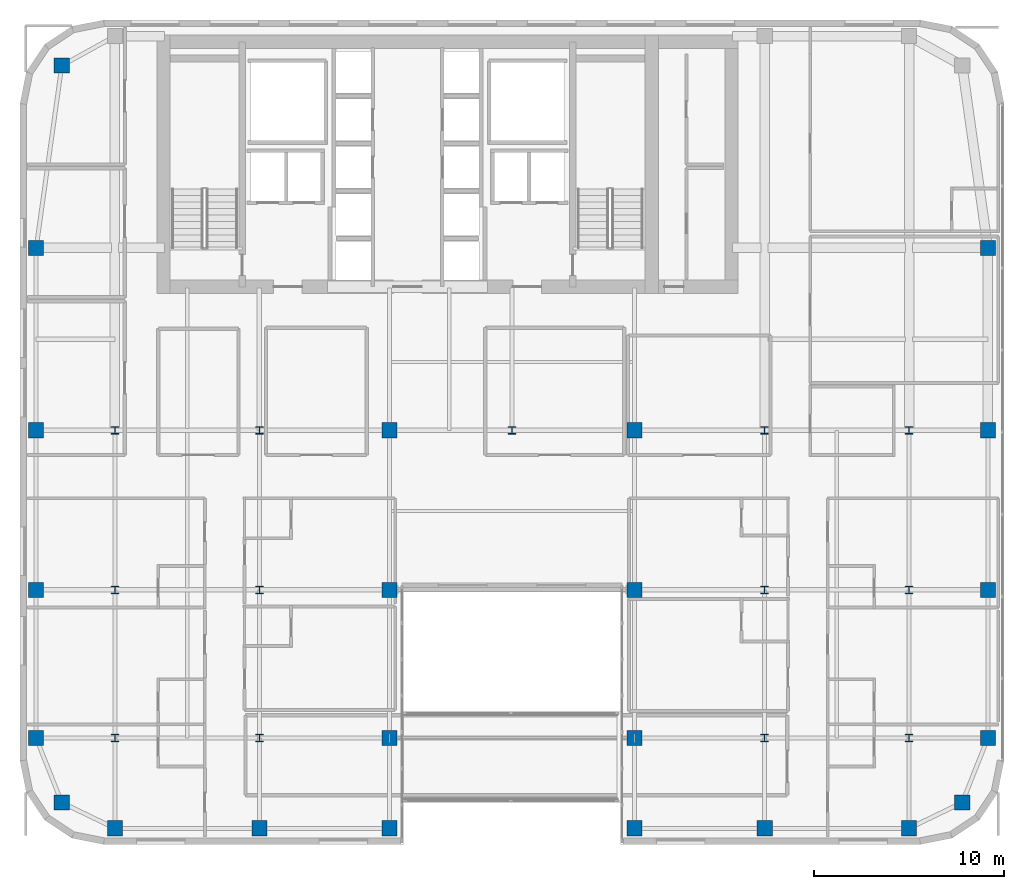
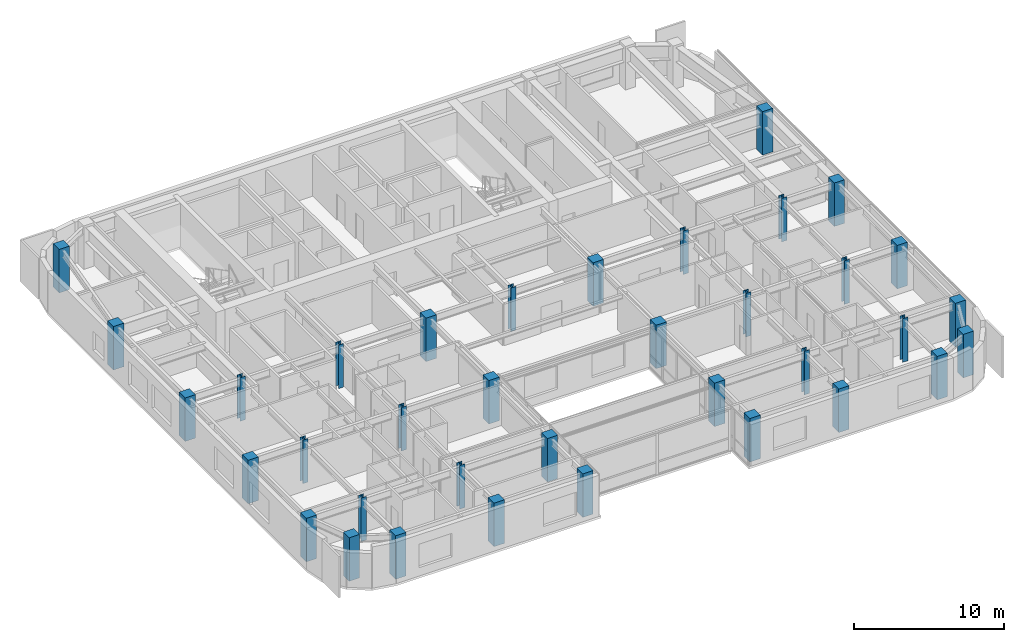
# One storey, part 1 of 20: 36 columns.
"""IFC4 building model written with IfcOpenShell, lengths in metres."""

from ifc_helpers import new_model, si_unit, direction, frame, origin, origin_2d, place, context, subcontext, project, spatial, rectangle, i_section, extrude, source, transform, mapped, material, material_profile, profile_set, type_object, type_shapes, element, save


model = new_model("IFC4")

# Units and contexts
model_context = context("Model", 3, precision=1e-05, world=origin(), true_north=direction((0.0, 1.0)))
body_context = subcontext(model_context, "Body", "Model", "MODEL_VIEW")
ifc_project = project(units=[si_unit("LENGTHUNIT", "METRE"), si_unit("AREAUNIT", "SQUARE_METRE"), si_unit("VOLUMEUNIT", "CUBIC_METRE"), si_unit("PLANEANGLEUNIT", "RADIAN"), si_unit("MASSUNIT", "GRAM", prefix="KILO")], contexts=[model_context])

# Site, building, storey
site_placement = place(None, origin())
site = spatial("IfcSite", under=ifc_project, at=site_placement, CompositionType="ELEMENT")
building_placement = place(site_placement, origin())
building = spatial("IfcBuilding", under=site, at=building_placement, Name="Tolvann Quenvar Hotel", CompositionType="ELEMENT")
storey_placement = place(building_placement, frame((0.0, 0.0, 171.89990234375)))
storey = spatial("IfcBuildingStorey", under=building, at=storey_placement, Name="L45", CompositionType="ELEMENT", Elevation=171.89990234375)

# Columns
ifc_material_1 = material(Name="Concrete N50 (50 MPa)", Category="concrete")
ifc_material_profile_1 = material_profile(ifc_material_1, rectangle(XDim=0.800048828125, YDim=0.800048828125, at=origin_2d()), Name="RC800x800")
ifc_profile_set_1 = profile_set([ifc_material_profile_1], Name="Concrete N50 (50 MPa)")
column_type_1 = type_object("IfcColumnType", Name="COL_RC800", PredefinedType="COLUMN", material=ifc_profile_set_1)
shared_shape_1 = source(origin(), body_context, "Body", "SweptSolid", [
    extrude(rectangle(XDim=0.800048828125, YDim=0.800048828125, at=origin_2d()), origin(), (0.0, 0.0, 1.0), 3.550048828125),
])
type_shapes(column_type_1, [shared_shape_1])
for number, where, z_axis, x_axis, name in (
    (1, (4.800048828125, 4.800048828125, 0.0), (0.0, 0.0, 1.0), (1.0, 0.0, 0.0), "Column B2 (L45)"),
    (2, (3.449951171875, 8.199951171875, 0.0), (0.0, 0.0, 1.0), (1.0, 0.0, 0.0), "Column B3 (L45)"),
    (3, (3.449951171875, 16.0, 0.0), (0.0, 0.0, 1.0), (1.0, 0.0, 0.0), "Column B4 (L45)"),
    (4, (3.449951171875, 24.39990234375, 0.0), (0.0, 0.0, 1.0), (1.0, 0.0, 0.0), "Column B5 (L45)"),
    (5, (7.60009765625, 3.449951171875, 0.0), (0.0, 0.0, 1.0), (1.0, 0.0, 0.0), "Column C2 (L45)"),
    (6, (15.199951171875, 3.449951171875, 0.0), (0.0, 0.0, 1.0), (1.0, 0.0, 0.0), "Column D2 (L45)"),
    (7, (22.050048828125, 3.449951171875, 0.0), (0.0, 0.0, 1.0), (1.0, 0.0, 0.0), "Column E2 (L45)"),
    (8, (22.050048828125, 8.199951171875, 0.0), (0.0, 0.0, 1.0), (1.0, 0.0, 0.0), "Column E3 (L45)"),
    (9, (22.050048828125, 16.0, 0.0), (0.0, 0.0, 1.0), (1.0, 0.0, 0.0), "Column E4 (L45)"),
    (10, (22.050048828125, 24.39990234375, 0.0), (0.0, 0.0, 1.0), (1.0, 0.0, 0.0), "Column E5 (L45)"),
    (11, (34.949951171875, 3.449951171875, 0.0), (0.0, 0.0, 1.0), (1.0, 0.0, 0.0), "Column F2 (L45)"),
    (12, (34.949951171875, 8.199951171875, 0.0), (0.0, 0.0, 1.0), (1.0, 0.0, 0.0), "Column F3 (L45)"),
    (13, (34.949951171875, 16.0, 0.0), (0.0, 0.0, 1.0), (1.0, 0.0, 0.0), "Column F4 (L45)"),
    (14, (34.949951171875, 24.39990234375, 0.0), (0.0, 0.0, 1.0), (1.0, 0.0, 0.0), "Column F5 (L45)"),
    (15, (41.800048828125, 3.449951171875, 0.0), (0.0, 0.0, 1.0), (1.0, 0.0, 0.0), "Column H2 (L45)"),
    (16, (49.39990234375, 3.449951171875, 0.0), (0.0, 0.0, 1.0), (1.0, 0.0, 0.0), "Column I2 (L45)"),
    (17, (52.199951171875, 4.800048828125, 0.0), (0.0, 0.0, 1.0), (1.0, 0.0, 0.0), "Column J2 (L45)"),
    (18, (53.550048828125, 8.199951171875, 0.0), (0.0, 0.0, 1.0), (1.0, 0.0, 0.0), "Column J3 (L45)"),
    (19, (53.550048828125, 16.0, 0.0), (0.0, 0.0, 1.0), (1.0, 0.0, 0.0), "Column J4 (L45)"),
    (20, (53.550048828125, 24.39990234375, 0.0), (0.0, 0.0, 1.0), (1.0, 0.0, 0.0), "Column J5 (L45)"),
    (21, (4.800048828125, 43.60009765625, 0.0), (0.0, 0.0, 1.0), (1.0, 0.0, 0.0), "Column BN (L45)"),
    (22, (3.449951171875, 34.0, 0.0), (0.0, 0.0, 1.0), (1.0, 0.0, 0.0), "Column BD6 (L45)"),
    (23, (53.550048828125, 34.0, 0.0), (0.0, 0.0, 1.0), (1.0, 0.0, 0.0), "Column JD6 (L45)"),
):
    element("IfcColumn", number, at=place(storey_placement, frame(where, z_axis=z_axis, x_axis=x_axis)), inside=storey, type_object=column_type_1, Name=name, PredefinedType="COLUMN", context=body_context, shape_type="MappedRepresentation", body=[
        mapped(shared_shape_1, transform((0.0, 0.0, 0.0), x_axis=(1.0, 0.0, 0.0), y_axis=(0.0, 1.0, 0.0), z_axis=(0.0, 0.0, 1.0), scale=1.0)),
    ])
ifc_material_2 = material(Name="Steel Grade 350", Category="steel")
ifc_material_profile_2 = material_profile(ifc_material_2, i_section(OverallWidth=0.39990234375, OverallDepth=0.39990234375, WebThickness=0.02001953125, FlangeThickness=0.034912109375, at=origin_2d()), Name="400WC270")
ifc_profile_set_2 = profile_set([ifc_material_profile_2], Name="Steel Grade 350")
column_type_2 = type_object("IfcColumnType", Name="COL_400WC270", PredefinedType="COLUMN", material=ifc_profile_set_2)
shared_shape_2 = source(origin(), body_context, "Body", "SweptSolid", [
    extrude(i_section(OverallWidth=0.39990234375, OverallDepth=0.39990234375, WebThickness=0.02001953125, FlangeThickness=0.034912109375, at=origin_2d()), origin(), (0.0, 0.0, 1.0), 3.550048828125),
])
type_shapes(column_type_2, [shared_shape_2])
for number, where, z_axis, x_axis, name in (
    (24, (7.60009765625, 8.199951171875, 0.0), (0.0, 0.0, 1.0), (1.0, 0.0, 0.0), "Column C3 (L45)"),
    (25, (7.60009765625, 16.0, 0.0), (0.0, 0.0, 1.0), (1.0, 0.0, 0.0), "Column C4 (L45)"),
    (26, (7.60009765625, 24.39990234375, 0.0), (0.0, 0.0, 1.0), (1.0, 0.0, 0.0), "Column C5 (L45)"),
    (27, (15.199951171875, 8.199951171875, 0.0), (0.0, 0.0, 1.0), (1.0, 0.0, 0.0), "Column D3 (L45)"),
    (28, (15.199951171875, 16.0, 0.0), (0.0, 0.0, 1.0), (1.0, 0.0, 0.0), "Column D4 (L45)"),
    (29, (15.199951171875, 24.39990234375, 0.0), (0.0, 0.0, 1.0), (1.0, 0.0, 0.0), "Column D5 (L45)"),
    (30, (41.800048828125, 8.199951171875, 0.0), (0.0, 0.0, 1.0), (1.0, 0.0, 0.0), "Column H3 (L45)"),
    (31, (41.800048828125, 16.0, 0.0), (0.0, 0.0, 1.0), (1.0, 0.0, 0.0), "Column H4 (L45)"),
    (32, (41.800048828125, 24.39990234375, 0.0), (0.0, 0.0, 1.0), (1.0, 0.0, 0.0), "Column H5 (L45)"),
    (33, (49.39990234375, 8.199951171875, 0.0), (0.0, 0.0, 1.0), (1.0, 0.0, 0.0), "Column I3 (L45)"),
    (34, (49.39990234375, 16.0, 0.0), (0.0, 0.0, 1.0), (1.0, 0.0, 0.0), "Column I4 (L45)"),
    (35, (49.39990234375, 24.39990234375, 0.0), (0.0, 0.0, 1.0), (1.0, 0.0, 0.0), "Column I5 (L45)"),
    (36, (28.5, 24.39990234375, 0.0), (0.0, 0.0, 1.0), (1.0, 0.0, 0.0), "Column M5 (L45)"),
):
    element("IfcColumn", number, at=place(storey_placement, frame(where, z_axis=z_axis, x_axis=x_axis)), inside=storey, type_object=column_type_2, Name=name, PredefinedType="COLUMN", context=body_context, shape_type="MappedRepresentation", body=[
        mapped(shared_shape_2, transform((0.0, 0.0, 0.0), x_axis=(1.0, 0.0, 0.0), y_axis=(0.0, 1.0, 0.0), z_axis=(0.0, 0.0, 1.0), scale=1.0)),
    ])

save(model, "model.ifc")
